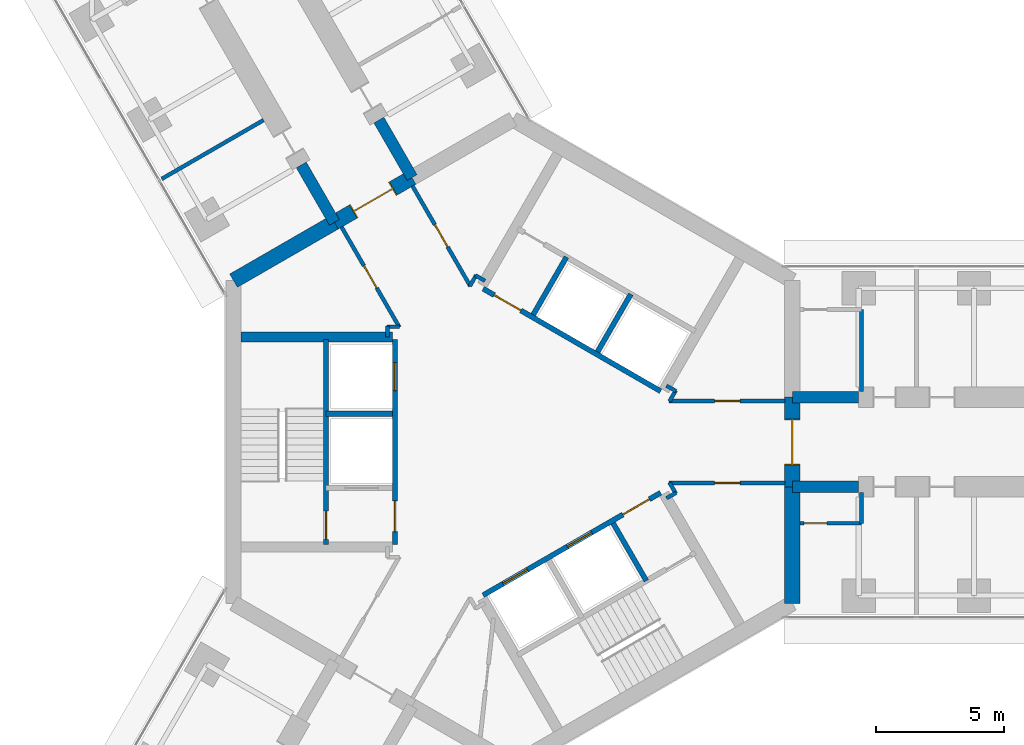
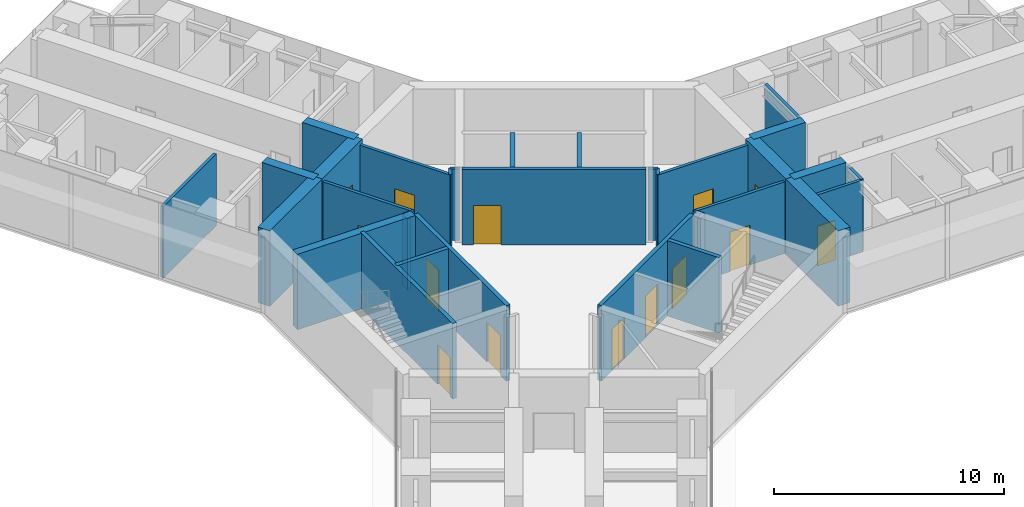
# One storey, part 16 of 22: 33 walls, 14 doors, 14 openings.
"""IFC4 building model written with IfcOpenShell, lengths in metres."""

from ifc_helpers import new_model, si_unit, direction, frame, frame_2d, origin, place, context, subcontext, project, spatial, rectangle, extrude, material, layer, layer_set, type_object, element, fill, save


model = new_model("IFC4")

# Units and contexts
model_context = context("Model", 3, precision=1e-05, world=origin(), true_north=direction((0.0, 1.0)))
body_context = subcontext(model_context, "Body", "Model", "MODEL_VIEW")
ifc_project = project(units=[si_unit("LENGTHUNIT", "METRE"), si_unit("AREAUNIT", "SQUARE_METRE"), si_unit("VOLUMEUNIT", "CUBIC_METRE"), si_unit("PLANEANGLEUNIT", "RADIAN"), si_unit("MASSUNIT", "GRAM", prefix="KILO")], contexts=[model_context])

# Site, building, storey
site_placement = place(None, origin())
site = spatial("IfcSite", under=ifc_project, at=site_placement, CompositionType="ELEMENT")
building_placement = place(site_placement, origin())
building = spatial("IfcBuilding", under=site, at=building_placement, Name="Upepo Twin Towers", CompositionType="ELEMENT")
storey_placement = place(building_placement, frame((0.0, 0.0, 125.5)))
storey = spatial("IfcBuildingStorey", under=building, at=storey_placement, Name="L30", CompositionType="ELEMENT", Elevation=125.5)

# Walls
ifc_material_1 = material(Name="Concrete C60/75", Category="concrete")
ifc_layer_1 = layer(ifc_material_1, 0.449951171875)
ifc_layer_set_1 = layer_set([ifc_layer_1], Name="Concrete C60/75")
wall_type_1 = type_object("IfcWallType", Name="Buttress wall 450 RC", PredefinedType="SHEAR", material=ifc_layer_set_1)
for number, where, z_axis, x_axis, name in (
    (1, (10.908447265625, 1.75, 0.0), (0.0, 0.0, 1.0), (1.0, 0.0, 0.0), "T1 wing A buttress wall L"),
    (2, (10.908447265625, -1.75, 0.0), (0.0, 0.0, 1.0), (1.0, 0.0, 0.0), "T1 wing A buttress wall R"),
):
    element("IfcWall", number, at=place(storey_placement, frame(where, z_axis=z_axis, x_axis=x_axis)), inside=storey, type_object=wall_type_1, Name=name, PredefinedType="SHEAR", context=body_context, shape_type="SweptSolid", body=[
        extrude(rectangle(XDim=2.591552734375, YDim=0.449951171875, at=frame_2d((1.2958984375, 0.0))), origin(), (0.0, 0.0, 1.0), 4.0),
    ])
for number, where, z_axis, x_axis, name in (
    (3, (-6.9697265625, 8.57177734375, 0.0), (0.0, 0.0, 1.0), (-0.499988811324, 0.866031863473, 0.0), "T1 wing B buttress wall L"),
    (4, (-3.938720703125, 10.32177734375, 0.0), (0.0, 0.0, 1.0), (-0.499918158782, 0.866072649678, 0.0), "T1 wing B buttress wall R"),
):
    element("IfcWall", number, at=place(storey_placement, frame(where, z_axis=z_axis, x_axis=x_axis)), inside=storey, type_object=wall_type_1, Name=name, PredefinedType="SHEAR", context=body_context, shape_type="SweptSolid", body=[
        extrude(rectangle(XDim=2.591796875, YDim=0.449951171875, at=frame_2d((1.2958984375, 0.0))), origin(), (0.0, 0.0, 1.0), 4.0),
    ])
ifc_material_2 = material(Name="Concrete C60/75", Category="concrete")
ifc_layer_2 = layer(ifc_material_2, 0.60009765625)
ifc_layer_set_2 = layer_set([ifc_layer_2], Name="Concrete C60/75")
wall_type_2 = type_object("IfcWallType", Name="Core wall 600 RC", PredefinedType="SHEAR", material=ifc_layer_set_2)
wall_1_placement = place(storey_placement, frame((10.908447265625, -6.2978515625, 0.0), z_axis=(0.0, 0.0, 1.0), x_axis=(0.0, 1.0, 0.0)))
element("IfcWall", 5, at=wall_1_placement, inside=storey, type_object=wall_type_2, Name="T1 core wall 000 R", PredefinedType="SHEAR", context=body_context, shape_type="SweptSolid", body=[
    extrude(rectangle(XDim=4.5478515625, YDim=0.60009765625, at=frame_2d((2.27392578125, 0.0))), origin(), (0.0, 0.0, 1.0), 4.0),
])

# Wall, opening, door
wall_2_placement = place(storey_placement, frame((10.908447265625, -1.75, 0.0), z_axis=(0.0, 0.0, 1.0), x_axis=(0.0, 1.0, 0.0)))
wall_2 = element("IfcWall", 6, at=wall_2_placement, inside=storey, type_object=wall_type_2, Name="T1 core wall 000", PredefinedType="SHEAR", context=body_context, shape_type="SweptSolid", body=[
    extrude(rectangle(XDim=3.5, YDim=0.60009765625, at=frame_2d((1.75, 0.0))), origin(), (0.0, 0.0, 1.0), 4.0),
])
opening_1_placement = place(wall_2_placement, frame((0.85009765625, 0.0, 0.0)))
opening_1 = element("IfcOpeningElement", 7, at=opening_1_placement, cuts=wall_2, Name="Opening D2", PredefinedType="OPENING", context=body_context, shape_type="SweptSolid", body=[
    extrude(rectangle(XDim=1.800048828125, YDim=2.10009765625, at=frame_2d((0.89990234375, 1.050048828125))), frame((0.0, 0.31005859375, 0.0), z_axis=(0.0, -1.0, 0.0), x_axis=(1.0, 0.0, 0.0)), (0.0, 0.0, 1.0), 0.6201171875),
])
ifc_material_3 = material(Name="Timber doorset", Category="wood")
door_type_1 = type_object("IfcDoorType", Name="Corridor double door 1800 FD60", OperationType="DOUBLE_DOOR_DOUBLE_SWING", PredefinedType="DOOR", material=ifc_material_3)
door_1_placement = place(opening_1_placement, origin())
door_1 = element("IfcDoor", 8, at=door_1_placement, inside=storey, type_object=door_type_1, Name="T1 L30 wing A corridor door", OperationType="DOUBLE_DOOR_DOUBLE_SWING", OverallHeight=2.10009765625, OverallWidth=1.800048828125, PredefinedType="DOOR", context=body_context, shape_type="SweptSolid", body=[
    extrude(rectangle(XDim=1.720048828125, YDim=2.06009765625, at=frame_2d((0.89990234375, 1.030029296875))), frame((0.0, 0.02490234375, 0.0), z_axis=(0.0, -1.0, 0.0), x_axis=(1.0, 0.0, 0.0)), (0.0, 0.0, 1.0), 0.050048828125),
    extrude(rectangle(XDim=0.04, YDim=2.10009765625, at=frame_2d((0.02001953125, 1.050048828125))), frame((0.0, 0.2998046875, 0.0), z_axis=(0.0, -1.0, 0.0), x_axis=(1.0, 0.0, 0.0)), (0.0, 0.0, 1.0), 0.599609375),
    extrude(rectangle(XDim=0.04, YDim=2.10009765625, at=frame_2d((1.780029296875, 1.050048828125))), frame((0.0, 0.2998046875, 0.0), z_axis=(0.0, -1.0, 0.0), x_axis=(1.0, 0.0, 0.0)), (0.0, 0.0, 1.0), 0.599609375),
    extrude(rectangle(XDim=1.720048828125, YDim=0.04, at=frame_2d((0.89990234375, 2.080078125))), frame((0.0, 0.2998046875, 0.0), z_axis=(0.0, -1.0, 0.0), x_axis=(1.0, 0.0, 0.0)), (0.0, 0.0, 1.0), 0.599609375),
])
fill(opening_1, door_1)

wall_3_placement = place(storey_placement, frame((-3.938720703125, 10.32177734375, 0.0), z_axis=(0.0, 0.0, 1.0), x_axis=(-0.866019471182, -0.500010275428, 0.0)))
wall_3 = element("IfcWall", 9, at=wall_3_placement, inside=storey, type_object=wall_type_2, Name="T1 core wall 120", PredefinedType="SHEAR", context=body_context, shape_type="SweptSolid", body=[
    extrude(rectangle(XDim=3.5, YDim=0.60009765625, at=frame_2d((1.75, 0.0))), origin(), (0.0, 0.0, 1.0), 4.0),
])
opening_2_placement = place(wall_3_placement, frame((0.85009765625, 0.0, 0.0)))
opening_2 = element("IfcOpeningElement", 10, at=opening_2_placement, cuts=wall_3, Name="Opening D2", PredefinedType="OPENING", context=body_context, shape_type="SweptSolid", body=[
    extrude(rectangle(XDim=1.800048828125, YDim=2.10009765625, at=frame_2d((0.89990234375, 1.050048828125))), frame((0.0, 0.31005859375, 0.0), z_axis=(0.0, -1.0, 0.0), x_axis=(1.0, 0.0, 0.0)), (0.0, 0.0, 1.0), 0.6201171875),
])
door_2_placement = place(opening_2_placement, origin())
door_2 = element("IfcDoor", 11, at=door_2_placement, inside=storey, type_object=door_type_1, Name="T1 L30 wing B corridor door", OperationType="DOUBLE_DOOR_DOUBLE_SWING", OverallHeight=2.10009765625, OverallWidth=1.800048828125, PredefinedType="DOOR", context=body_context, shape_type="SweptSolid", body=[
    extrude(rectangle(XDim=1.720048828125, YDim=2.06009765625, at=frame_2d((0.89990234375, 1.030029296875))), frame((0.0, 0.02490234375, 0.0), z_axis=(0.0, -1.0, 0.0), x_axis=(1.0, 0.0, 0.0)), (0.0, 0.0, 1.0), 0.050048828125),
    extrude(rectangle(XDim=0.04, YDim=2.10009765625, at=frame_2d((0.02001953125, 1.050048828125))), frame((0.0, 0.2998046875, 0.0), z_axis=(0.0, -1.0, 0.0), x_axis=(1.0, 0.0, 0.0)), (0.0, 0.0, 1.0), 0.599609375),
    extrude(rectangle(XDim=0.04, YDim=2.10009765625, at=frame_2d((1.780029296875, 1.050048828125))), frame((0.0, 0.2998046875, 0.0), z_axis=(0.0, -1.0, 0.0), x_axis=(1.0, 0.0, 0.0)), (0.0, 0.0, 1.0), 0.599609375),
    extrude(rectangle(XDim=1.720048828125, YDim=0.04, at=frame_2d((0.89990234375, 2.080078125))), frame((0.0, 0.2998046875, 0.0), z_axis=(0.0, -1.0, 0.0), x_axis=(1.0, 0.0, 0.0)), (0.0, 0.0, 1.0), 0.599609375),
])
fill(opening_2, door_2)

# Wall
wall_4_placement = place(storey_placement, frame((-6.9697265625, 8.57177734375, 0.0), z_axis=(0.0, 0.0, 1.0), x_axis=(-0.866034513004, -0.499984222037, 0.0)))
element("IfcWall", 12, at=wall_4_placement, inside=storey, type_object=wall_type_2, Name="T1 core wall 120 L", PredefinedType="SHEAR", context=body_context, shape_type="SweptSolid", body=[
    extrude(rectangle(XDim=4.548095703125, YDim=0.60009765625, at=frame_2d((2.27392578125, 0.0))), origin(), (0.0, 0.0, 1.0), 4.0),
])

# Wall, opening, door
ifc_material_4 = material(Name="Concrete C40/50", Category="concrete")
ifc_layer_3 = layer(ifc_material_4, 0.199951171875)
ifc_layer_set_3 = layer_set([ifc_layer_3], Name="Concrete C40/50")
wall_type_3 = type_object("IfcWallType", Name="Shaft wall 200 RC", PredefinedType="SHEAR", material=ifc_layer_set_3)
wall_5_placement = place(storey_placement, frame((5.76416015625, 1.983642578125, 0.0), z_axis=(0.0, 0.0, 1.0), x_axis=(-0.866026010844, 0.49999894854, 0.0)))
wall_5 = element("IfcWall", 13, at=wall_5_placement, inside=storey, type_object=wall_type_3, Name="T1 core W60 front wall", PredefinedType="SHEAR", context=body_context, shape_type="SweptSolid", body=[
    extrude(rectangle(XDim=8.0, YDim=0.199951171875, at=frame_2d((4.0, 0.0))), origin(), (0.0, 0.0, 1.0), 4.0),
])
opening_3_placement = place(wall_5_placement, frame((6.300048828125, 0.0, 0.0)))
opening_3 = element("IfcOpeningElement", 14, at=opening_3_placement, cuts=wall_5, Name="Opening D4", PredefinedType="OPENING", context=body_context, shape_type="SweptSolid", body=[
    extrude(rectangle(XDim=1.199951171875, YDim=2.10009765625, at=frame_2d((0.60009765625, 1.050048828125))), frame((0.0, 0.10986328125, 0.0), z_axis=(0.0, -1.0, 0.0), x_axis=(1.0, 0.0, 0.0)), (0.0, 0.0, 1.0), 0.219970703125),
])
ifc_material_5 = material(Name="Timber doorset", Category="wood")
door_type_2 = type_object("IfcDoorType", Name="Lobby door 1200 FD60", OperationType="SINGLE_SWING_LEFT", PredefinedType="DOOR", material=ifc_material_5)
door_3_placement = place(opening_3_placement, origin())
door_3 = element("IfcDoor", 15, at=door_3_placement, inside=storey, type_object=door_type_2, Name="T1 L30 W60 lobby door", OperationType="SINGLE_SWING_RIGHT", OverallHeight=2.10009765625, OverallWidth=1.199951171875, PredefinedType="DOOR", context=body_context, shape_type="SweptSolid", body=[
    extrude(rectangle(XDim=1.199951171875, YDim=2.10009765625, at=frame_2d((0.60009765625, 1.050048828125))), frame((0.0, 0.02490234375, 0.0), z_axis=(0.0, -1.0, 0.0), x_axis=(1.0, 0.0, 0.0)), (0.0, 0.0, 1.0), 0.050048828125),
])
fill(opening_3, door_3)

# Walls
for number, where, z_axis, x_axis, name in (
    (16, (3.302734375, 3.520263671875, 0.0), (0.0, 0.0, 1.0), (0.499936506574, 0.866062058628, 0.0), "T1 core W60 shaft divider"),
    (17, (0.791259765625, 4.97021484375, 0.0), (0.0, 0.0, 1.0), (0.499936506574, 0.866062058628, 0.0), "T1 core W60 lobby wall"),
):
    element("IfcWall", number, at=place(storey_placement, frame(where, z_axis=z_axis, x_axis=x_axis)), inside=storey, type_object=wall_type_3, Name=name, PredefinedType="SHEAR", context=body_context, shape_type="SweptSolid", body=[
        extrude(rectangle(XDim=2.599853515625, YDim=0.199951171875, at=frame_2d((1.2998046875, 0.0))), origin(), (0.0, 0.0, 1.0), 4.0),
    ])

# Wall, openings, doors
wall_6_placement = place(storey_placement, frame((-4.60009765625, 4.0, 0.0), z_axis=(0.0, 0.0, 1.0), x_axis=(0.0, -1.0, 0.0)))
wall_6 = element("IfcWall", 18, at=wall_6_placement, inside=storey, type_object=wall_type_3, Name="T1 core W180 front wall", PredefinedType="SHEAR", context=body_context, shape_type="SweptSolid", body=[
    extrude(rectangle(XDim=8.0, YDim=0.199951171875, at=frame_2d((4.0, 0.0))), origin(), (0.0, 0.0, 1.0), 4.0),
])
opening_4_placement = place(wall_6_placement, frame((6.300048828125, 0.0, 0.0)))
opening_4 = element("IfcOpeningElement", 19, at=opening_4_placement, cuts=wall_6, Name="Opening D4", PredefinedType="OPENING", context=body_context, shape_type="SweptSolid", body=[
    extrude(rectangle(XDim=1.199951171875, YDim=2.10009765625, at=frame_2d((0.60009765625, 1.050048828125))), frame((0.0, 0.10986328125, 0.0), z_axis=(0.0, -1.0, 0.0), x_axis=(1.0, 0.0, 0.0)), (0.0, 0.0, 1.0), 0.219970703125),
])
opening_5_placement = place(wall_6_placement, frame((0.89990234375, 0.0, 0.0)))
opening_5 = element("IfcOpeningElement", 20, at=opening_5_placement, cuts=wall_6, Name="Opening LD1", PredefinedType="OPENING", context=body_context, shape_type="SweptSolid", body=[
    extrude(rectangle(XDim=1.10009765625, YDim=2.199951171875, at=frame_2d((0.550048828125, 1.10009765625))), frame((0.0, 0.10986328125, 0.0), z_axis=(0.0, -1.0, 0.0), x_axis=(1.0, 0.0, 0.0)), (0.0, 0.0, 1.0), 0.219970703125),
])
ifc_material_6 = material(Name="Steel doorset", Category="steel")
door_type_3 = type_object("IfcDoorType", Name="Lift landing door 1100", OperationType="DOUBLE_DOOR_SLIDING", PredefinedType="DOOR", material=ifc_material_6)
door_4_placement = place(opening_5_placement, origin())
door_4 = element("IfcDoor", 21, at=door_4_placement, inside=storey, type_object=door_type_3, Name="T1 L30 lift SV1 landing door", OperationType="DOUBLE_DOOR_SLIDING", OverallHeight=2.199951171875, OverallWidth=1.10009765625, PredefinedType="DOOR", context=body_context, shape_type="SweptSolid", body=[
    extrude(rectangle(XDim=1.10009765625, YDim=2.199951171875, at=frame_2d((0.550048828125, 1.10009765625))), frame((0.0, 0.02490234375, 0.0), z_axis=(0.0, -1.0, 0.0), x_axis=(1.0, 0.0, 0.0)), (0.0, 0.0, 1.0), 0.050048828125),
])
fill(opening_5, door_4)
door_5_placement = place(opening_4_placement, origin())
door_5 = element("IfcDoor", 22, at=door_5_placement, inside=storey, type_object=door_type_2, Name="T1 L30 W180 lobby door", OperationType="SINGLE_SWING_RIGHT", OverallHeight=2.10009765625, OverallWidth=1.199951171875, PredefinedType="DOOR", context=body_context, shape_type="SweptSolid", body=[
    extrude(rectangle(XDim=1.199951171875, YDim=2.10009765625, at=frame_2d((0.60009765625, 1.050048828125))), frame((0.0, 0.02490234375, 0.0), z_axis=(0.0, -1.0, 0.0), x_axis=(1.0, 0.0, 0.0)), (0.0, 0.0, 1.0), 0.050048828125),
])
fill(opening_4, door_5)

# Wall
wall_7_placement = place(storey_placement, frame((-4.699951171875, 1.10009765625, 0.0), z_axis=(0.0, 0.0, 1.0), x_axis=(-1.0, 0.0, 0.0)))
element("IfcWall", 23, at=wall_7_placement, inside=storey, type_object=wall_type_3, Name="T1 core W180 shaft divider", PredefinedType="SHEAR", context=body_context, shape_type="SweptSolid", body=[
    extrude(rectangle(XDim=2.60009765625, YDim=0.199951171875, at=frame_2d((1.300048828125, 0.0))), origin(), (0.0, 0.0, 1.0), 4.0),
])

# Wall, opening, door
wall_8_placement = place(storey_placement, frame((-7.300048828125, 4.0, 0.0), z_axis=(0.0, 0.0, 1.0), x_axis=(0.0, -1.0, 0.0)))
wall_8 = element("IfcWall", 24, at=wall_8_placement, inside=storey, type_object=wall_type_3, Name="T1 core W180 stair wall", PredefinedType="SHEAR", context=body_context, shape_type="SweptSolid", body=[
    extrude(rectangle(XDim=8.0, YDim=0.199951171875, at=frame_2d((4.0, 0.0))), origin(), (0.0, 0.0, 1.0), 4.0),
])
opening_6_placement = place(wall_8_placement, frame((6.699951171875, 0.0, 0.0)))
opening_6 = element("IfcOpeningElement", 25, at=opening_6_placement, cuts=wall_8, Name="Opening D3", PredefinedType="OPENING", context=body_context, shape_type="SweptSolid", body=[
    extrude(rectangle(XDim=1.10009765625, YDim=2.10009765625, at=frame_2d((0.550048828125, 1.050048828125))), frame((0.0, 0.10986328125, 0.0), z_axis=(0.0, -1.0, 0.0), x_axis=(1.0, 0.0, 0.0)), (0.0, 0.0, 1.0), 0.219970703125),
])
ifc_material_7 = material(Name="Timber doorset", Category="wood")
door_type_4 = type_object("IfcDoorType", Name="Stair door 1100 FD60", OperationType="SINGLE_SWING_LEFT", PredefinedType="DOOR", material=ifc_material_7)
door_6_placement = place(opening_6_placement, origin())
door_6 = element("IfcDoor", 26, at=door_6_placement, inside=storey, type_object=door_type_4, Name="T1 L30 stair door", OperationType="SINGLE_SWING_RIGHT", OverallHeight=2.10009765625, OverallWidth=1.10009765625, PredefinedType="DOOR", context=body_context, shape_type="SweptSolid", body=[
    extrude(rectangle(XDim=1.10009765625, YDim=2.10009765625, at=frame_2d((0.550048828125, 1.050048828125))), frame((0.0, 0.02490234375, 0.0), z_axis=(0.0, -1.0, 0.0), x_axis=(1.0, 0.0, 0.0)), (0.0, 0.0, 1.0), 0.050048828125),
])
fill(opening_6, door_6)

# Wall, openings, doors
wall_9_placement = place(storey_placement, frame((-1.1640625, -5.983642578125, 0.0), z_axis=(0.0, 0.0, 1.0), x_axis=(0.866026010844, 0.49999894854, 0.0)))
wall_9 = element("IfcWall", 27, at=wall_9_placement, inside=storey, type_object=wall_type_3, Name="T1 core W300 front wall", PredefinedType="SHEAR", context=body_context, shape_type="SweptSolid", body=[
    extrude(rectangle(XDim=8.0, YDim=0.199951171875, at=frame_2d((4.0, 0.0))), origin(), (0.0, 0.0, 1.0), 4.0),
])
opening_7_placement = place(wall_9_placement, frame((6.300048828125, 0.0, 0.0)))
opening_7 = element("IfcOpeningElement", 28, at=opening_7_placement, cuts=wall_9, Name="Opening D4", PredefinedType="OPENING", context=body_context, shape_type="SweptSolid", body=[
    extrude(rectangle(XDim=1.199951171875, YDim=2.10009765625, at=frame_2d((0.60009765625, 1.050048828125))), frame((0.0, 0.10986328125, 0.0), z_axis=(0.0, -1.0, 0.0), x_axis=(1.0, 0.0, 0.0)), (0.0, 0.0, 1.0), 0.219970703125),
])
opening_8_placement = place(wall_9_placement, frame((0.89990234375, 0.0, 0.0)))
opening_8 = element("IfcOpeningElement", 29, at=opening_8_placement, cuts=wall_9, Name="Opening LD1", PredefinedType="OPENING", context=body_context, shape_type="SweptSolid", body=[
    extrude(rectangle(XDim=1.10009765625, YDim=2.199951171875, at=frame_2d((0.550048828125, 1.10009765625))), frame((0.0, 0.10986328125, 0.0), z_axis=(0.0, -1.0, 0.0), x_axis=(1.0, 0.0, 0.0)), (0.0, 0.0, 1.0), 0.219970703125),
])
opening_9_placement = place(wall_9_placement, frame((3.800048828125, 0.0, 0.0)))
opening_9 = element("IfcOpeningElement", 30, at=opening_9_placement, cuts=wall_9, Name="Opening LD1", PredefinedType="OPENING", context=body_context, shape_type="SweptSolid", body=[
    extrude(rectangle(XDim=1.10009765625, YDim=2.199951171875, at=frame_2d((0.550048828125, 1.10009765625))), frame((0.0, 0.10986328125, 0.0), z_axis=(0.0, -1.0, 0.0), x_axis=(1.0, 0.0, 0.0)), (0.0, 0.0, 1.0), 0.219970703125),
])
door_7_placement = place(opening_8_placement, origin())
door_7 = element("IfcDoor", 31, at=door_7_placement, inside=storey, type_object=door_type_3, Name="T1 L30 lift ML1 landing door", OperationType="DOUBLE_DOOR_SLIDING", OverallHeight=2.199951171875, OverallWidth=1.10009765625, PredefinedType="DOOR", context=body_context, shape_type="SweptSolid", body=[
    extrude(rectangle(XDim=1.10009765625, YDim=2.199951171875, at=frame_2d((0.550048828125, 1.10009765625))), frame((0.0, 0.02490234375, 0.0), z_axis=(0.0, -1.0, 0.0), x_axis=(1.0, 0.0, 0.0)), (0.0, 0.0, 1.0), 0.050048828125),
])
fill(opening_8, door_7)
door_8_placement = place(opening_9_placement, origin())
door_8 = element("IfcDoor", 32, at=door_8_placement, inside=storey, type_object=door_type_3, Name="T1 L30 lift ML2 landing door", OperationType="DOUBLE_DOOR_SLIDING", OverallHeight=2.199951171875, OverallWidth=1.10009765625, PredefinedType="DOOR", context=body_context, shape_type="SweptSolid", body=[
    extrude(rectangle(XDim=1.10009765625, YDim=2.199951171875, at=frame_2d((0.550048828125, 1.10009765625))), frame((0.0, 0.02490234375, 0.0), z_axis=(0.0, -1.0, 0.0), x_axis=(1.0, 0.0, 0.0)), (0.0, 0.0, 1.0), 0.050048828125),
])
fill(opening_9, door_8)
door_9_placement = place(opening_7_placement, origin())
door_9 = element("IfcDoor", 33, at=door_9_placement, inside=storey, type_object=door_type_2, Name="T1 L30 W300 lobby door", OperationType="SINGLE_SWING_RIGHT", OverallHeight=2.10009765625, OverallWidth=1.199951171875, PredefinedType="DOOR", context=body_context, shape_type="SweptSolid", body=[
    extrude(rectangle(XDim=1.199951171875, YDim=2.10009765625, at=frame_2d((0.60009765625, 1.050048828125))), frame((0.0, 0.02490234375, 0.0), z_axis=(0.0, -1.0, 0.0), x_axis=(1.0, 0.0, 0.0)), (0.0, 0.0, 1.0), 0.050048828125),
])
fill(opening_7, door_9)

# Walls
wall_10_placement = place(storey_placement, frame((3.908935546875, -3.17041015625, 0.0), z_axis=(0.0, 0.0, 1.0), x_axis=(0.49997716683, -0.86603858612, 0.0)))
element("IfcWall", 34, at=wall_10_placement, inside=storey, type_object=wall_type_3, Name="T1 core W300 lobby wall", PredefinedType="SHEAR", context=body_context, shape_type="SweptSolid", body=[
    extrude(rectangle(XDim=2.599609375, YDim=0.199951171875, at=frame_2d((1.2998046875, 0.0))), origin(), (0.0, 0.0, 1.0), 4.0),
])
ifc_material_8 = material(Name="Concrete C40/50", Category="concrete")
ifc_layer_4 = layer(ifc_material_8, 0.39990234375)
ifc_layer_set_4 = layer_set([ifc_layer_4], Name="Concrete C40/50")
wall_type_4 = type_object("IfcWallType", Name="Shaft wall 400 RC", PredefinedType="SHEAR", material=ifc_layer_set_4)
wall_11_placement = place(storey_placement, frame((-4.699951171875, 4.10009765625, 0.0), z_axis=(0.0, 0.0, 1.0), x_axis=(-1.0, 0.0, 0.0)))
element("IfcWall", 35, at=wall_11_placement, inside=storey, type_object=wall_type_4, Name="T1 core W180 side wall S", PredefinedType="SHEAR", context=body_context, shape_type="SweptSolid", body=[
    extrude(rectangle(XDim=5.908447265625, YDim=0.39990234375, at=frame_2d((2.9541015625, 0.0))), origin(), (0.0, 0.0, 1.0), 4.0),
])
ifc_material_9 = material(Name="Gypsum board on steel studs", Category="steel")
ifc_layer_5 = layer(ifc_material_9, 0.14990234375)
ifc_layer_set_5 = layer_set([ifc_layer_5], Name="Teaching partition 150 acoustic")
wall_type_5 = type_object("IfcWallType", Name="Teaching partition 150 acoustic", PredefinedType="PARTITIONING", material=ifc_layer_set_5)
wall_12_placement = place(storey_placement, frame((13.60791015625, 1.97509765625, 0.0), z_axis=(0.0, 0.0, 1.0), x_axis=(0.0, 1.0, 0.0)))
element("IfcWall", 36, at=wall_12_placement, inside=storey, type_object=wall_type_5, Name="T1 WC bay partition AL end at 13.61", PredefinedType="PARTITIONING", context=body_context, shape_type="SweptSolid", body=[
    extrude(rectangle(XDim=3.199951171875, YDim=0.14990234375, at=frame_2d((1.60009765625, 0.0))), origin(), (0.0, 0.0, 1.0), 3.800048828125),
])

# Wall, opening, door
wall_13_placement = place(storey_placement, frame((11.2080078125, -3.175048828125, 0.0), z_axis=(0.0, 0.0, 1.0), x_axis=(1.0, 0.0, 0.0)))
wall_13 = element("IfcWall", 37, at=wall_13_placement, inside=storey, type_object=wall_type_5, Name="T1 WC bay partition AR at 11.21", PredefinedType="PARTITIONING", context=body_context, shape_type="SweptSolid", body=[
    extrude(rectangle(XDim=2.39990234375, YDim=0.14990234375, at=frame_2d((1.199951171875, 0.0))), origin(), (0.0, 0.0, 1.0), 3.800048828125),
])
opening_10_placement = place(wall_13_placement, frame((0.14990234375, 0.0, 0.0)))
opening_10 = element("IfcOpeningElement", 38, at=opening_10_placement, cuts=wall_13, Name="Opening D14", PredefinedType="OPENING", context=body_context, shape_type="SweptSolid", body=[
    extrude(rectangle(XDim=0.89990234375, YDim=2.10009765625, at=frame_2d((0.449951171875, 1.050048828125))), frame((0.0, 0.0849609375, 0.0), z_axis=(0.0, -1.0, 0.0), x_axis=(1.0, 0.0, 0.0)), (0.0, 0.0, 1.0), 0.169921875),
])
ifc_material_10 = material(Name="Timber doorset", Category="wood")
door_type_5 = type_object("IfcDoorType", Name="Office door 900 FD30", OperationType="SINGLE_SWING_LEFT", PredefinedType="DOOR", material=ifc_material_10)
door_10_placement = place(opening_10_placement, origin())
door_10 = element("IfcDoor", 39, at=door_10_placement, inside=storey, type_object=door_type_5, Name="T1 L30 WC bay inner room door", OperationType="SINGLE_SWING_LEFT", OverallHeight=2.10009765625, OverallWidth=0.89990234375, PredefinedType="DOOR", context=body_context, shape_type="SweptSolid", body=[
    extrude(rectangle(XDim=0.89990234375, YDim=2.10009765625, at=frame_2d((0.449951171875, 1.050048828125))), frame((0.0, 0.02490234375, 0.0), z_axis=(0.0, -1.0, 0.0), x_axis=(1.0, 0.0, 0.0)), (0.0, 0.0, 1.0), 0.050048828125),
])
fill(opening_10, door_10)

# Walls
wall_14_placement = place(storey_placement, frame((13.60791015625, -1.97509765625, 0.0), z_axis=(0.0, 0.0, 1.0), x_axis=(0.0, -1.0, 0.0)))
element("IfcWall", 40, at=wall_14_placement, inside=storey, type_object=wall_type_5, Name="T1 WC bay partition AR end at 13.61", PredefinedType="PARTITIONING", context=body_context, shape_type="SweptSolid", body=[
    extrude(rectangle(XDim=1.199951171875, YDim=0.14990234375, at=frame_2d((0.60009765625, 0.0))), origin(), (0.0, 0.0, 1.0), 3.800048828125),
])
wall_15_placement = place(storey_placement, frame((-9.737060546875, 12.56494140625, 0.0), z_axis=(0.0, 0.0, 1.0), x_axis=(-0.866016770315, -0.500014953309, 0.0)))
element("IfcWall", 41, at=wall_15_placement, inside=storey, type_object=wall_type_5, Name="T1 partition BL at 15.75", PredefinedType="PARTITIONING", context=body_context, shape_type="SweptSolid", body=[
    extrude(rectangle(XDim=4.599853515625, YDim=0.14990234375, at=frame_2d((2.2998046875, 0.0))), origin(), (0.0, 0.0, 1.0), 3.800048828125),
])
for number, where, z_axis, x_axis, name in (
    (42, (6.364501953125, -1.9833984375, 0.0), (0.0, 0.0, 1.0), (-0.865892400268, -0.500230298122, 0.0), "T1 core room partition 1"),
    (43, (-4.89990234375, 4.090087890625, 0.0), (0.0, 0.0, 1.0), (0.0, 1.0, 0.0), "T1 core room partition 8"),
):
    element("IfcWall", number, at=place(storey_placement, frame(where, z_axis=z_axis, x_axis=x_axis)), inside=storey, type_object=wall_type_5, Name=name, PredefinedType="PARTITIONING", context=body_context, shape_type="SweptSolid", body=[
        extrude(rectangle(XDim=0.429931640625, YDim=0.14990234375, at=frame_2d((0.21484375, 0.0))), origin(), (0.0, 0.0, 1.0), 3.800048828125),
    ])
wall_16_placement = place(storey_placement, frame((-4.919921875, 4.5, 0.0), z_axis=(0.0, 0.0, 1.0), x_axis=(1.0, 0.0, 0.0)))
element("IfcWall", 44, at=wall_16_placement, inside=storey, type_object=wall_type_5, Name="T1 core room partition 9", PredefinedType="PARTITIONING", context=body_context, shape_type="SweptSolid", body=[
    extrude(rectangle(XDim=0.494384765625, YDim=0.14990234375, at=frame_2d((0.2470703125, 0.0))), origin(), (0.0, 0.0, 1.0), 3.800048828125),
])

# Wall, opening, door
wall_17_placement = place(storey_placement, frame((-4.435546875, 4.482666015625, 0.0), z_axis=(0.0, 0.0, 1.0), x_axis=(-0.500009315796, 0.86602002524, 0.0)))
wall_17 = element("IfcWall", 45, at=wall_17_placement, inside=storey, type_object=wall_type_5, Name="T1 core room partition 10", PredefinedType="PARTITIONING", context=body_context, shape_type="SweptSolid", body=[
    extrude(rectangle(XDim=4.5185546875, YDim=0.14990234375, at=frame_2d((2.25927734375, 0.0))), origin(), (0.0, 0.0, 1.0), 3.800048828125),
])
opening_11_placement = place(wall_17_placement, frame((1.769287109375, 0.0, 0.0)))
opening_11 = element("IfcOpeningElement", 46, at=opening_11_placement, cuts=wall_17, Name="Opening D1", PredefinedType="OPENING", context=body_context, shape_type="SweptSolid", body=[
    extrude(rectangle(XDim=1.0, YDim=2.10009765625, at=frame_2d((0.5, 1.050048828125))), frame((0.0, 0.0849609375, 0.0), z_axis=(0.0, -1.0, 0.0), x_axis=(1.0, 0.0, 0.0)), (0.0, 0.0, 1.0), 0.169921875),
])
ifc_material_11 = material(Name="Timber doorset", Category="wood")
door_type_6 = type_object("IfcDoorType", Name="Room door 1000 FD30", OperationType="SINGLE_SWING_LEFT", PredefinedType="DOOR", material=ifc_material_11)
door_11_placement = place(opening_11_placement, origin())
door_11 = element("IfcDoor", 47, at=door_11_placement, inside=storey, type_object=door_type_6, Name="T1 L30 core room door K7", OperationType="SINGLE_SWING_RIGHT", OverallHeight=2.10009765625, OverallWidth=1.0, PredefinedType="DOOR", context=body_context, shape_type="SweptSolid", body=[
    extrude(rectangle(XDim=1.0, YDim=2.10009765625, at=frame_2d((0.5, 1.050048828125))), frame((0.0, 0.02490234375, 0.0), z_axis=(0.0, -1.0, 0.0), x_axis=(1.0, 0.0, 0.0)), (0.0, 0.0, 1.0), 0.050048828125),
])
fill(opening_11, door_11)

wall_18_placement = place(storey_placement, frame((-3.923583984375, 9.99560546875, 0.0), z_axis=(0.0, 0.0, 1.0), x_axis=(0.500032713409, -0.866006515865, 0.0)))
wall_18 = element("IfcWall", 48, at=wall_18_placement, inside=storey, type_object=wall_type_5, Name="T1 core room partition 11", PredefinedType="PARTITIONING", context=body_context, shape_type="SweptSolid", body=[
    extrude(rectangle(XDim=4.518310546875, YDim=0.14990234375, at=frame_2d((2.25927734375, 0.0))), origin(), (0.0, 0.0, 1.0), 3.800048828125),
])
opening_12_placement = place(wall_18_placement, frame((1.7490234375, 0.0, 0.0)))
opening_12 = element("IfcOpeningElement", 49, at=opening_12_placement, cuts=wall_18, Name="Opening D1", PredefinedType="OPENING", context=body_context, shape_type="SweptSolid", body=[
    extrude(rectangle(XDim=1.0, YDim=2.10009765625, at=frame_2d((0.5, 1.050048828125))), frame((0.0, 0.0849609375, 0.0), z_axis=(0.0, -1.0, 0.0), x_axis=(1.0, 0.0, 0.0)), (0.0, 0.0, 1.0), 0.169921875),
])
door_12_placement = place(opening_12_placement, origin())
door_12 = element("IfcDoor", 50, at=door_12_placement, inside=storey, type_object=door_type_6, Name="T1 L30 core room door K6", OperationType="SINGLE_SWING_LEFT", OverallHeight=2.10009765625, OverallWidth=1.0, PredefinedType="DOOR", context=body_context, shape_type="SweptSolid", body=[
    extrude(rectangle(XDim=1.0, YDim=2.10009765625, at=frame_2d((0.5, 1.050048828125))), frame((0.0, 0.02490234375, 0.0), z_axis=(0.0, -1.0, 0.0), x_axis=(1.0, 0.0, 0.0)), (0.0, 0.0, 1.0), 0.050048828125),
])
fill(opening_12, door_12)

# Walls
wall_19_placement = place(storey_placement, frame((-1.684326171875, 6.082763671875, 0.0), z_axis=(0.0, 0.0, 1.0), x_axis=(0.50033519877, 0.865831790172, 0.0)))
element("IfcWall", 51, at=wall_19_placement, inside=storey, type_object=wall_type_5, Name="T1 core room partition 12", PredefinedType="PARTITIONING", context=body_context, shape_type="SweptSolid", body=[
    extrude(rectangle(XDim=0.494384765625, YDim=0.14990234375, at=frame_2d((0.2470703125, 0.0))), origin(), (0.0, 0.0, 1.0), 3.800048828125),
])
for number, where, z_axis, x_axis, name in (
    (52, (-1.46435546875, 6.50341796875, 0.0), (0.0, 0.0, 1.0), (0.866138304741, -0.499804398801, 0.0), "T1 core room partition 13"),
    (53, (5.9921875, 2.198486328125, 0.0), (0.0, 0.0, 1.0), (0.865892400268, -0.500230298122, 0.0), "T1 core room partition 14"),
):
    element("IfcWall", number, at=place(storey_placement, frame(where, z_axis=z_axis, x_axis=x_axis)), inside=storey, type_object=wall_type_5, Name=name, PredefinedType="PARTITIONING", context=body_context, shape_type="SweptSolid", body=[
        extrude(rectangle(XDim=0.429931640625, YDim=0.14990234375, at=frame_2d((0.21484375, 0.0))), origin(), (0.0, 0.0, 1.0), 3.800048828125),
    ])
wall_20_placement = place(storey_placement, frame((6.357177734375, 2.0107421875, 0.0), z_axis=(0.0, 0.0, 1.0), x_axis=(-0.50033519877, -0.865831790172, 0.0)))
element("IfcWall", 54, at=wall_20_placement, inside=storey, type_object=wall_type_5, Name="T1 core room partition 15", PredefinedType="PARTITIONING", context=body_context, shape_type="SweptSolid", body=[
    extrude(rectangle(XDim=0.494384765625, YDim=0.14990234375, at=frame_2d((0.2470703125, 0.0))), origin(), (0.0, 0.0, 1.0), 3.800048828125),
])

# Wall, opening, door
wall_21_placement = place(storey_placement, frame((6.099853515625, 1.60009765625, 0.0), z_axis=(0.0, 0.0, 1.0), x_axis=(1.0, 0.0, 0.0)))
wall_21 = element("IfcWall", 55, at=wall_21_placement, inside=storey, type_object=wall_type_5, Name="T1 core room partition 16", PredefinedType="PARTITIONING", context=body_context, shape_type="SweptSolid", body=[
    extrude(rectangle(XDim=4.5185546875, YDim=0.14990234375, at=frame_2d((2.25927734375, 0.0))), origin(), (0.0, 0.0, 1.0), 3.800048828125),
])
opening_13_placement = place(wall_21_placement, frame((1.769287109375, 0.0, 0.0)))
opening_13 = element("IfcOpeningElement", 56, at=opening_13_placement, cuts=wall_21, Name="Opening D1", PredefinedType="OPENING", context=body_context, shape_type="SweptSolid", body=[
    extrude(rectangle(XDim=1.0, YDim=2.10009765625, at=frame_2d((0.5, 1.050048828125))), frame((0.0, 0.0849609375, 0.0), z_axis=(0.0, -1.0, 0.0), x_axis=(1.0, 0.0, 0.0)), (0.0, 0.0, 1.0), 0.169921875),
])
door_13_placement = place(opening_13_placement, origin())
door_13 = element("IfcDoor", 57, at=door_13_placement, inside=storey, type_object=door_type_6, Name="T1 L30 core room door K5", OperationType="SINGLE_SWING_RIGHT", OverallHeight=2.10009765625, OverallWidth=1.0, PredefinedType="DOOR", context=body_context, shape_type="SweptSolid", body=[
    extrude(rectangle(XDim=1.0, YDim=2.10009765625, at=frame_2d((0.5, 1.050048828125))), frame((0.0, 0.02490234375, 0.0), z_axis=(0.0, -1.0, 0.0), x_axis=(1.0, 0.0, 0.0)), (0.0, 0.0, 1.0), 0.050048828125),
])
fill(opening_13, door_13)

wall_22_placement = place(storey_placement, frame((10.618408203125, -1.60009765625, 0.0), z_axis=(0.0, 0.0, 1.0), x_axis=(-1.0, 0.0, 0.0)))
wall_22 = element("IfcWall", 58, at=wall_22_placement, inside=storey, type_object=wall_type_5, Name="T1 core room partition 17", PredefinedType="PARTITIONING", context=body_context, shape_type="SweptSolid", body=[
    extrude(rectangle(XDim=4.5185546875, YDim=0.14990234375, at=frame_2d((2.25927734375, 0.0))), origin(), (0.0, 0.0, 1.0), 3.800048828125),
])
opening_14_placement = place(wall_22_placement, frame((1.7490234375, 0.0, 0.0)))
opening_14 = element("IfcOpeningElement", 59, at=opening_14_placement, cuts=wall_22, Name="Opening D1", PredefinedType="OPENING", context=body_context, shape_type="SweptSolid", body=[
    extrude(rectangle(XDim=1.0, YDim=2.10009765625, at=frame_2d((0.5, 1.050048828125))), frame((0.0, 0.0849609375, 0.0), z_axis=(0.0, -1.0, 0.0), x_axis=(1.0, 0.0, 0.0)), (0.0, 0.0, 1.0), 0.169921875),
])
door_14_placement = place(opening_14_placement, origin())
door_14 = element("IfcDoor", 60, at=door_14_placement, inside=storey, type_object=door_type_6, Name="T1 L30 core room door K4", OperationType="SINGLE_SWING_LEFT", OverallHeight=2.10009765625, OverallWidth=1.0, PredefinedType="DOOR", context=body_context, shape_type="SweptSolid", body=[
    extrude(rectangle(XDim=1.0, YDim=2.10009765625, at=frame_2d((0.5, 1.050048828125))), frame((0.0, 0.02490234375, 0.0), z_axis=(0.0, -1.0, 0.0), x_axis=(1.0, 0.0, 0.0)), (0.0, 0.0, 1.0), 0.050048828125),
])
fill(opening_14, door_14)

# Wall
wall_23_placement = place(storey_placement, frame((6.10986328125, -1.582763671875, 0.0), z_axis=(0.0, 0.0, 1.0), x_axis=(0.50033519877, -0.865831790172, 0.0)))
element("IfcWall", 61, at=wall_23_placement, inside=storey, type_object=wall_type_5, Name="T1 core room partition 18", PredefinedType="PARTITIONING", context=body_context, shape_type="SweptSolid", body=[
    extrude(rectangle(XDim=0.494384765625, YDim=0.14990234375, at=frame_2d((0.2470703125, 0.0))), origin(), (0.0, 0.0, 1.0), 3.800048828125),
])

save(model, "model.ifc")
